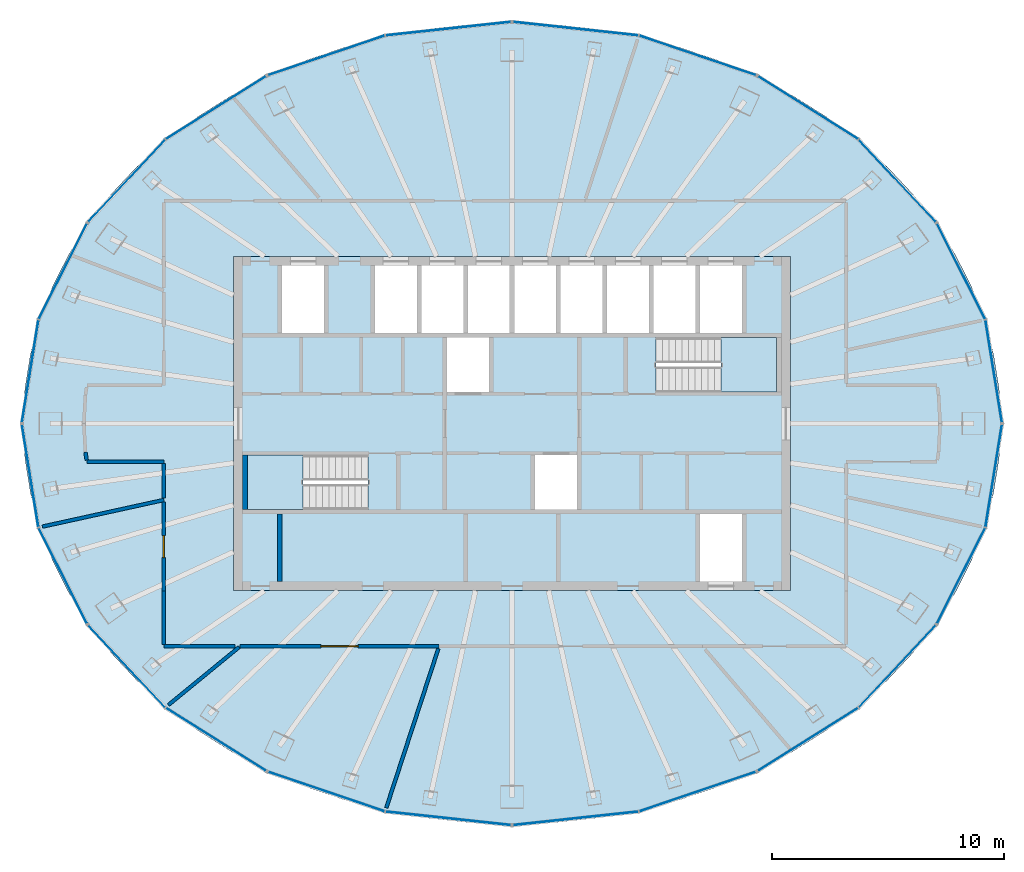
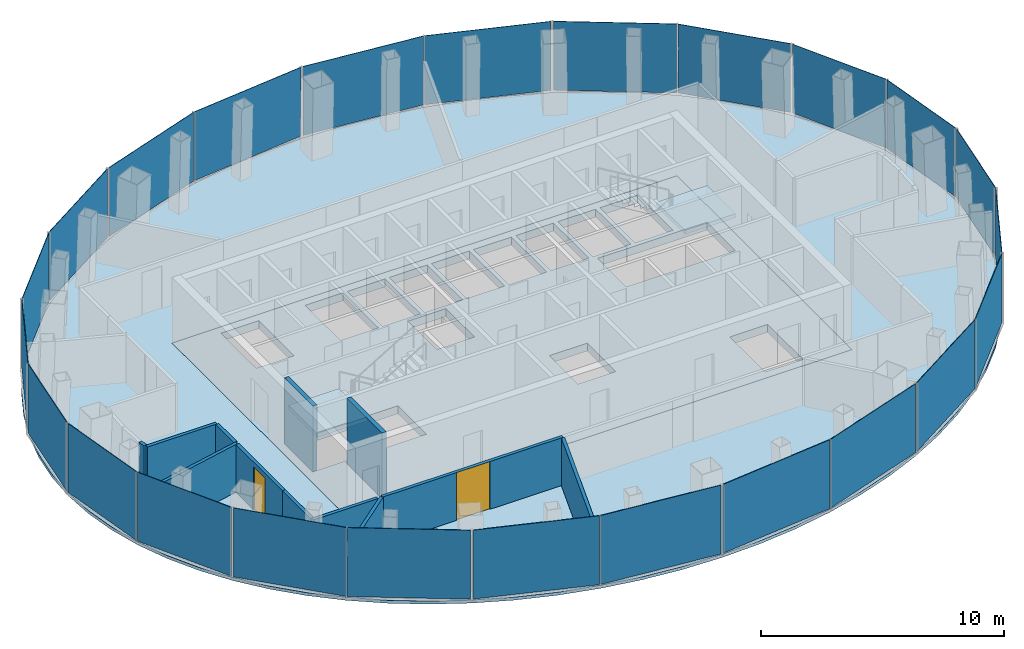
# One storey, part 7 of 11: 24 plates, 12 walls, 4 slabs, 2 doors, 2 openings, 14 elements without a shape of their own.
"""IFC4 building model written with IfcOpenShell, lengths in metres."""

from ifc_helpers import new_model, si_unit, direction, frame, frame_2d, origin, origin_2d, place, context, subcontext, project, spatial, polyline, rectangle, outline, extrude, material, layer, layer_set, type_object, element, fill, aggregate, save


model = new_model("IFC4")

# Units and contexts
model_context = context("Model", 3, precision=1e-05, world=origin(), true_north=direction((0.0, 1.0)))
body_context = subcontext(model_context, "Body", "Model", "MODEL_VIEW")
ifc_project = project(units=[si_unit("LENGTHUNIT", "METRE"), si_unit("AREAUNIT", "SQUARE_METRE"), si_unit("VOLUMEUNIT", "CUBIC_METRE"), si_unit("PLANEANGLEUNIT", "RADIAN"), si_unit("MASSUNIT", "GRAM", prefix="KILO")], contexts=[model_context])

# Site, building, storey
site_placement = place(None, origin())
site = spatial("IfcSite", under=ifc_project, at=site_placement, CompositionType="ELEMENT")
building_placement = place(site_placement, origin())
building = spatial("IfcBuilding", under=site, at=building_placement, Name="Siaravel Broadcast Tower", CompositionType="ELEMENT")
storey_placement = place(building_placement, frame((0.0, 0.0, 246.699951171875)))
storey = spatial("IfcBuildingStorey", under=building, at=storey_placement, Name="L60", CompositionType="ELEMENT", Elevation=246.699951171875)

# Curtain wall, plates
ifc_material_1 = material(Name="Aluminium 6063-T6", Category="aluminium")
ifc_layer_1 = layer(ifc_material_1, 0.159912109375)
ifc_layer_set_1 = layer_set([ifc_layer_1], Name="Aluminium 6063-T6")
curtain_wall_type = type_object("IfcCurtainWallType", Name="Unitised curtain wall, zone 4", PredefinedType="NOTDEFINED", material=ifc_layer_set_1)
curtain_wall_1_placement = place(storey_placement, origin())
curtain_wall_1 = element("IfcCurtainWall", 1, at=curtain_wall_1_placement, inside=storey, type_object=curtain_wall_type, Name="L60 Unitised curtain wall, zone 4 01", PredefinedType="NOTDEFINED")
ifc_material_2 = material(Name="Tinted insulated glass", Category="glass")
ifc_layer_2 = layer(ifc_material_2, 0.02587890625)
ifc_layer_set_2 = layer_set([ifc_layer_2], Name="Tinted insulated glass")
plate_type = type_object("IfcPlateType", Name="CW-Z4 glass panel", PredefinedType="CURTAIN_PANEL", material=ifc_layer_set_2)
plate_1_placement = place(storey_placement, frame((20.75537109375, 2.254638671875, 0.090087890625), z_axis=(0.0, 0.0, 1.0), x_axis=(-0.158684735, 0.987329304, 0.0)))
plate_1 = element("IfcPlate", 2, at=plate_1_placement, type_object=plate_type, Name="CW-Z4 glass panel", PredefinedType="CURTAIN_PANEL", context=body_context, shape_type="SweptSolid", body=[
    extrude(rectangle(XDim=4.45703125, YDim=0.02587890625, at=origin_2d()), origin(), (0.0, 0.0, 1.0), 3.4599609375),
])
plate_2_placement = place(storey_placement, frame((19.347900390625, 6.557373046875, 0.090087890625), z_axis=(0.0, 0.0, 1.0), x_axis=(-0.451259268, 0.892392891, 0.0)))
plate_2 = element("IfcPlate", 3, at=plate_2_placement, type_object=plate_type, Name="CW-Z4 glass panel", PredefinedType="CURTAIN_PANEL", context=body_context, shape_type="SweptSolid", body=[
    extrude(rectangle(XDim=4.59619140625, YDim=0.02587890625, at=origin_2d()), origin(), (0.0, 0.0, 1.0), 3.4599609375),
])
aggregate(curtain_wall_1, [plate_1, plate_2])

curtain_wall_2_placement = place(storey_placement, origin())
curtain_wall_2 = element("IfcCurtainWall", 4, at=curtain_wall_2_placement, inside=storey, type_object=curtain_wall_type, Name="L60 Unitised curtain wall, zone 4 02", PredefinedType="NOTDEFINED")
plate_3_placement = place(storey_placement, frame((16.59814453125, 10.459228515625, 0.090087890625), z_axis=(0.0, 0.0, 1.0), x_axis=(-0.683653738, 0.729806527, 0.0)))
plate_3 = element("IfcPlate", 5, at=plate_3_placement, type_object=plate_type, Name="CW-Z4 glass panel", PredefinedType="CURTAIN_PANEL", context=body_context, shape_type="SweptSolid", body=[
    extrude(rectangle(XDim=4.828125, YDim=0.02587890625, at=origin_2d()), origin(), (0.0, 0.0, 1.0), 3.4599609375),
])
plate_4_placement = place(storey_placement, frame((12.753662109375, 13.6083984375, 0.090087890625), z_axis=(0.0, 0.0, 1.0), x_axis=(-0.846649801, 0.532150463, 0.0)))
plate_4 = element("IfcPlate", 6, at=plate_4_placement, type_object=plate_type, Name="CW-Z4 glass panel", PredefinedType="CURTAIN_PANEL", context=body_context, shape_type="SweptSolid", body=[
    extrude(rectangle(XDim=5.083251953125, YDim=0.02587890625, at=origin_2d()), origin(), (0.0, 0.0, 1.0), 3.4599609375),
])
aggregate(curtain_wall_2, [plate_3, plate_4])

curtain_wall_3_placement = place(storey_placement, origin())
curtain_wall_3 = element("IfcCurtainWall", 7, at=curtain_wall_3_placement, inside=storey, type_object=curtain_wall_type, Name="L60 Unitised curtain wall, zone 4 03", PredefinedType="NOTDEFINED")
plate_5_placement = place(storey_placement, frame((7.996337890625, 15.8583984375, 0.090087890625), z_axis=(0.0, 0.0, 1.0), x_axis=(-0.946976963, 0.321301466, 0.0)))
plate_5 = element("IfcPlate", 8, at=plate_5_placement, type_object=plate_type, Name="CW-Z4 glass panel", PredefinedType="CURTAIN_PANEL", context=body_context, shape_type="SweptSolid", body=[
    extrude(rectangle(XDim=5.29443359375, YDim=0.02587890625, at=origin_2d()), origin(), (0.0, 0.0, 1.0), 3.4599609375),
])
plate_6_placement = place(storey_placement, frame((2.745361328125, 17.0107421875, 0.090087890625), z_axis=(0.0, 0.0, 1.0), x_axis=(-0.994235559, 0.107217782, 0.0)))
plate_6 = element("IfcPlate", 9, at=plate_6_placement, type_object=plate_type, Name="CW-Z4 glass panel", PredefinedType="CURTAIN_PANEL", context=body_context, shape_type="SweptSolid", body=[
    extrude(rectangle(XDim=5.41259765625, YDim=0.02587890625, at=origin_2d()), origin(), (0.0, 0.0, 1.0), 3.4599609375),
])
aggregate(curtain_wall_3, [plate_5, plate_6])

curtain_wall_4_placement = place(storey_placement, origin())
curtain_wall_4 = element("IfcCurtainWall", 10, at=curtain_wall_4_placement, inside=storey, type_object=curtain_wall_type, Name="L60 Unitised curtain wall, zone 4 04", PredefinedType="NOTDEFINED")
plate_7_placement = place(storey_placement, frame((-2.745361328125, 17.0107421875, 0.090087890625), z_axis=(0.0, 0.0, 1.0), x_axis=(-0.994235559, -0.107217782, 0.0)))
plate_7 = element("IfcPlate", 11, at=plate_7_placement, type_object=plate_type, Name="CW-Z4 glass panel", PredefinedType="CURTAIN_PANEL", context=body_context, shape_type="SweptSolid", body=[
    extrude(rectangle(XDim=5.41259765625, YDim=0.02587890625, at=origin_2d()), origin(), (0.0, 0.0, 1.0), 3.4599609375),
])
plate_8_placement = place(storey_placement, frame((-7.996337890625, 15.8583984375, 0.090087890625), z_axis=(0.0, 0.0, 1.0), x_axis=(-0.946976963, -0.321301466, 0.0)))
plate_8 = element("IfcPlate", 12, at=plate_8_placement, type_object=plate_type, Name="CW-Z4 glass panel", PredefinedType="CURTAIN_PANEL", context=body_context, shape_type="SweptSolid", body=[
    extrude(rectangle(XDim=5.29443359375, YDim=0.02587890625, at=origin_2d()), origin(), (0.0, 0.0, 1.0), 3.4599609375),
])
aggregate(curtain_wall_4, [plate_7, plate_8])

curtain_wall_5_placement = place(storey_placement, origin())
curtain_wall_5 = element("IfcCurtainWall", 13, at=curtain_wall_5_placement, inside=storey, type_object=curtain_wall_type, Name="L60 Unitised curtain wall, zone 4 05", PredefinedType="NOTDEFINED")
plate_9_placement = place(storey_placement, frame((-12.753662109375, 13.6083984375, 0.090087890625), z_axis=(0.0, 0.0, 1.0), x_axis=(-0.846649801, -0.532150463, 0.0)))
plate_9 = element("IfcPlate", 14, at=plate_9_placement, type_object=plate_type, Name="CW-Z4 glass panel", PredefinedType="CURTAIN_PANEL", context=body_context, shape_type="SweptSolid", body=[
    extrude(rectangle(XDim=5.083251953125, YDim=0.02587890625, at=origin_2d()), origin(), (0.0, 0.0, 1.0), 3.4599609375),
])
plate_10_placement = place(storey_placement, frame((-16.59814453125, 10.459228515625, 0.090087890625), z_axis=(0.0, 0.0, 1.0), x_axis=(-0.683653738, -0.729806527, 0.0)))
plate_10 = element("IfcPlate", 15, at=plate_10_placement, type_object=plate_type, Name="CW-Z4 glass panel", PredefinedType="CURTAIN_PANEL", context=body_context, shape_type="SweptSolid", body=[
    extrude(rectangle(XDim=4.828125, YDim=0.02587890625, at=origin_2d()), origin(), (0.0, 0.0, 1.0), 3.4599609375),
])
aggregate(curtain_wall_5, [plate_9, plate_10])

curtain_wall_6_placement = place(storey_placement, origin())
curtain_wall_6 = element("IfcCurtainWall", 16, at=curtain_wall_6_placement, inside=storey, type_object=curtain_wall_type, Name="L60 Unitised curtain wall, zone 4 06", PredefinedType="NOTDEFINED")
plate_11_placement = place(storey_placement, frame((-19.347900390625, 6.557373046875, 0.090087890625), z_axis=(0.0, 0.0, 1.0), x_axis=(-0.451259268, -0.892392891, 0.0)))
plate_11 = element("IfcPlate", 17, at=plate_11_placement, type_object=plate_type, Name="CW-Z4 glass panel", PredefinedType="CURTAIN_PANEL", context=body_context, shape_type="SweptSolid", body=[
    extrude(rectangle(XDim=4.59619140625, YDim=0.02587890625, at=origin_2d()), origin(), (0.0, 0.0, 1.0), 3.4599609375),
])
plate_12_placement = place(storey_placement, frame((-20.75537109375, 2.254638671875, 0.090087890625), z_axis=(0.0, 0.0, 1.0), x_axis=(-0.158684735, -0.987329304, 0.0)))
plate_12 = element("IfcPlate", 18, at=plate_12_placement, type_object=plate_type, Name="CW-Z4 glass panel", PredefinedType="CURTAIN_PANEL", context=body_context, shape_type="SweptSolid", body=[
    extrude(rectangle(XDim=4.45703125, YDim=0.02587890625, at=origin_2d()), origin(), (0.0, 0.0, 1.0), 3.4599609375),
])
aggregate(curtain_wall_6, [plate_11, plate_12])

curtain_wall_7_placement = place(storey_placement, origin())
curtain_wall_7 = element("IfcCurtainWall", 19, at=curtain_wall_7_placement, inside=storey, type_object=curtain_wall_type, Name="L60 Unitised curtain wall, zone 4 07", PredefinedType="NOTDEFINED")
plate_13_placement = place(storey_placement, frame((-20.75537109375, -2.254638671875, 0.090087890625), z_axis=(0.0, 0.0, 1.0), x_axis=(0.158684735, -0.987329304, 0.0)))
plate_13 = element("IfcPlate", 20, at=plate_13_placement, type_object=plate_type, Name="CW-Z4 glass panel", PredefinedType="CURTAIN_PANEL", context=body_context, shape_type="SweptSolid", body=[
    extrude(rectangle(XDim=4.45703125, YDim=0.02587890625, at=origin_2d()), origin(), (0.0, 0.0, 1.0), 3.4599609375),
])
plate_14_placement = place(storey_placement, frame((-19.347900390625, -6.557373046875, 0.090087890625), z_axis=(0.0, 0.0, 1.0), x_axis=(0.451259268, -0.892392891, 0.0)))
plate_14 = element("IfcPlate", 21, at=plate_14_placement, type_object=plate_type, Name="CW-Z4 glass panel", PredefinedType="CURTAIN_PANEL", context=body_context, shape_type="SweptSolid", body=[
    extrude(rectangle(XDim=4.59619140625, YDim=0.02587890625, at=origin_2d()), origin(), (0.0, 0.0, 1.0), 3.4599609375),
])
aggregate(curtain_wall_7, [plate_13, plate_14])

curtain_wall_8_placement = place(storey_placement, origin())
curtain_wall_8 = element("IfcCurtainWall", 22, at=curtain_wall_8_placement, inside=storey, type_object=curtain_wall_type, Name="L60 Unitised curtain wall, zone 4 08", PredefinedType="NOTDEFINED")
plate_15_placement = place(storey_placement, frame((-16.59814453125, -10.459228515625, 0.090087890625), z_axis=(0.0, 0.0, 1.0), x_axis=(0.683653738, -0.729806527, 0.0)))
plate_15 = element("IfcPlate", 23, at=plate_15_placement, type_object=plate_type, Name="CW-Z4 glass panel", PredefinedType="CURTAIN_PANEL", context=body_context, shape_type="SweptSolid", body=[
    extrude(rectangle(XDim=4.828125, YDim=0.02587890625, at=origin_2d()), origin(), (0.0, 0.0, 1.0), 3.4599609375),
])
plate_16_placement = place(storey_placement, frame((-12.753662109375, -13.6083984375, 0.090087890625), z_axis=(0.0, 0.0, 1.0), x_axis=(0.846649801, -0.532150463, 0.0)))
plate_16 = element("IfcPlate", 24, at=plate_16_placement, type_object=plate_type, Name="CW-Z4 glass panel", PredefinedType="CURTAIN_PANEL", context=body_context, shape_type="SweptSolid", body=[
    extrude(rectangle(XDim=5.083251953125, YDim=0.02587890625, at=origin_2d()), origin(), (0.0, 0.0, 1.0), 3.4599609375),
])
aggregate(curtain_wall_8, [plate_15, plate_16])

curtain_wall_9_placement = place(storey_placement, origin())
curtain_wall_9 = element("IfcCurtainWall", 25, at=curtain_wall_9_placement, inside=storey, type_object=curtain_wall_type, Name="L60 Unitised curtain wall, zone 4 09", PredefinedType="NOTDEFINED")
plate_17_placement = place(storey_placement, frame((-7.996337890625, -15.8583984375, 0.090087890625), z_axis=(0.0, 0.0, 1.0), x_axis=(0.946976963, -0.321301466, 0.0)))
plate_17 = element("IfcPlate", 26, at=plate_17_placement, type_object=plate_type, Name="CW-Z4 glass panel", PredefinedType="CURTAIN_PANEL", context=body_context, shape_type="SweptSolid", body=[
    extrude(rectangle(XDim=5.29443359375, YDim=0.02587890625, at=origin_2d()), origin(), (0.0, 0.0, 1.0), 3.4599609375),
])
plate_18_placement = place(storey_placement, frame((-2.745361328125, -17.0107421875, 0.090087890625), z_axis=(0.0, 0.0, 1.0), x_axis=(0.994235559, -0.107217782, 0.0)))
plate_18 = element("IfcPlate", 27, at=plate_18_placement, type_object=plate_type, Name="CW-Z4 glass panel", PredefinedType="CURTAIN_PANEL", context=body_context, shape_type="SweptSolid", body=[
    extrude(rectangle(XDim=5.41259765625, YDim=0.02587890625, at=origin_2d()), origin(), (0.0, 0.0, 1.0), 3.4599609375),
])
aggregate(curtain_wall_9, [plate_17, plate_18])

curtain_wall_10_placement = place(storey_placement, origin())
curtain_wall_10 = element("IfcCurtainWall", 28, at=curtain_wall_10_placement, inside=storey, type_object=curtain_wall_type, Name="L60 Unitised curtain wall, zone 4 10", PredefinedType="NOTDEFINED")
plate_19_placement = place(storey_placement, frame((2.745361328125, -17.0107421875, 0.090087890625), z_axis=(0.0, 0.0, 1.0), x_axis=(0.994235559, 0.107217782, 0.0)))
plate_19 = element("IfcPlate", 29, at=plate_19_placement, type_object=plate_type, Name="CW-Z4 glass panel", PredefinedType="CURTAIN_PANEL", context=body_context, shape_type="SweptSolid", body=[
    extrude(rectangle(XDim=5.41259765625, YDim=0.02587890625, at=origin_2d()), origin(), (0.0, 0.0, 1.0), 3.4599609375),
])
plate_20_placement = place(storey_placement, frame((7.996337890625, -15.8583984375, 0.090087890625), z_axis=(0.0, 0.0, 1.0), x_axis=(0.946976963, 0.321301466, 0.0)))
plate_20 = element("IfcPlate", 30, at=plate_20_placement, type_object=plate_type, Name="CW-Z4 glass panel", PredefinedType="CURTAIN_PANEL", context=body_context, shape_type="SweptSolid", body=[
    extrude(rectangle(XDim=5.29443359375, YDim=0.02587890625, at=origin_2d()), origin(), (0.0, 0.0, 1.0), 3.4599609375),
])
aggregate(curtain_wall_10, [plate_19, plate_20])

curtain_wall_11_placement = place(storey_placement, origin())
curtain_wall_11 = element("IfcCurtainWall", 31, at=curtain_wall_11_placement, inside=storey, type_object=curtain_wall_type, Name="L60 Unitised curtain wall, zone 4 11", PredefinedType="NOTDEFINED")
plate_21_placement = place(storey_placement, frame((12.753662109375, -13.6083984375, 0.090087890625), z_axis=(0.0, 0.0, 1.0), x_axis=(0.846649801, 0.532150463, 0.0)))
plate_21 = element("IfcPlate", 32, at=plate_21_placement, type_object=plate_type, Name="CW-Z4 glass panel", PredefinedType="CURTAIN_PANEL", context=body_context, shape_type="SweptSolid", body=[
    extrude(rectangle(XDim=5.083251953125, YDim=0.02587890625, at=origin_2d()), origin(), (0.0, 0.0, 1.0), 3.4599609375),
])
plate_22_placement = place(storey_placement, frame((16.59814453125, -10.459228515625, 0.090087890625), z_axis=(0.0, 0.0, 1.0), x_axis=(0.683653738, 0.729806527, 0.0)))
plate_22 = element("IfcPlate", 33, at=plate_22_placement, type_object=plate_type, Name="CW-Z4 glass panel", PredefinedType="CURTAIN_PANEL", context=body_context, shape_type="SweptSolid", body=[
    extrude(rectangle(XDim=4.828125, YDim=0.02587890625, at=origin_2d()), origin(), (0.0, 0.0, 1.0), 3.4599609375),
])
aggregate(curtain_wall_11, [plate_21, plate_22])

curtain_wall_12_placement = place(storey_placement, origin())
curtain_wall_12 = element("IfcCurtainWall", 34, at=curtain_wall_12_placement, inside=storey, type_object=curtain_wall_type, Name="L60 Unitised curtain wall, zone 4 12", PredefinedType="NOTDEFINED")
plate_23_placement = place(storey_placement, frame((19.347900390625, -6.557373046875, 0.090087890625), z_axis=(0.0, 0.0, 1.0), x_axis=(0.451259268, 0.892392891, 0.0)))
plate_23 = element("IfcPlate", 35, at=plate_23_placement, type_object=plate_type, Name="CW-Z4 glass panel", PredefinedType="CURTAIN_PANEL", context=body_context, shape_type="SweptSolid", body=[
    extrude(rectangle(XDim=4.59619140625, YDim=0.02587890625, at=origin_2d()), origin(), (0.0, 0.0, 1.0), 3.4599609375),
])
plate_24_placement = place(storey_placement, frame((20.75537109375, -2.254638671875, 0.090087890625), z_axis=(0.0, 0.0, 1.0), x_axis=(0.158684735, 0.987329304, 0.0)))
plate_24 = element("IfcPlate", 36, at=plate_24_placement, type_object=plate_type, Name="CW-Z4 glass panel", PredefinedType="CURTAIN_PANEL", context=body_context, shape_type="SweptSolid", body=[
    extrude(rectangle(XDim=4.45703125, YDim=0.02587890625, at=origin_2d()), origin(), (0.0, 0.0, 1.0), 3.4599609375),
])
aggregate(curtain_wall_12, [plate_23, plate_24])

# Slabs
ifc_material_3 = material(Name="Concrete C40/50", Category="concrete")
ifc_layer_3 = layer(ifc_material_3, 0.39990234375)
ifc_layer_set_3 = layer_set([ifc_layer_3], Name="Concrete C40/50")
slab_type_1 = type_object("IfcSlabType", Name="Core floor slab 400", PredefinedType="FLOOR", material=ifc_layer_set_3)
slab_1_placement = place(storey_placement, frame((0.0, 0.0, -0.39990234375)))
element("IfcSlab", 37, at=slab_1_placement, inside=storey, type_object=slab_type_1, Name="L60 core floor", PredefinedType="FLOOR", context=body_context, shape_type="SweptSolid", body=[
    extrude(outline(polyline([(-12.0, -7.199951171875), (-12.0, 7.199951171875), (12.0, 7.199951171875), (12.0, -7.199951171875), (-12.0, -7.199951171875)]), holes=[polyline([(11.3994140625, 1.3505859375), (11.3994140625, 3.699462890625), (6.200439453125, 3.699462890625), (6.200439453125, 1.3505859375), (11.3994140625, 1.3505859375)]), polyline([(8.10009765625, -3.89990234375), (8.10009765625, -6.800048828125), (9.89990234375, -6.800048828125), (9.89990234375, -3.89990234375), (8.10009765625, -3.89990234375)]), polyline([(9.89990234375, 6.800048828125), (8.10009765625, 6.800048828125), (8.10009765625, 3.89990234375), (9.89990234375, 3.89990234375), (9.89990234375, 6.800048828125)]), polyline([(7.89990234375, 6.800048828125), (6.10009765625, 6.800048828125), (6.10009765625, 3.89990234375), (7.89990234375, 3.89990234375), (7.89990234375, 6.800048828125)]), polyline([(5.89990234375, 6.800048828125), (4.10009765625, 6.800048828125), (4.10009765625, 3.89990234375), (5.89990234375, 3.89990234375), (5.89990234375, 6.800048828125)]), polyline([(3.89990234375, 6.800048828125), (2.10009765625, 6.800048828125), (2.10009765625, 3.89990234375), (3.89990234375, 3.89990234375), (3.89990234375, 6.800048828125)]), polyline([(2.800048828125, -1.35009765625), (1.0, -1.35009765625), (1.0, -3.699951171875), (2.800048828125, -3.699951171875), (2.800048828125, -1.35009765625)]), polyline([(1.89990234375, 6.800048828125), (0.10009765625, 6.800048828125), (0.10009765625, 3.89990234375), (1.89990234375, 3.89990234375), (1.89990234375, 6.800048828125)]), polyline([(-0.10009765625, 6.800048828125), (-1.89990234375, 6.800048828125), (-1.89990234375, 3.89990234375), (-0.10009765625, 3.89990234375), (-0.10009765625, 6.800048828125)]), polyline([(-1.0, 3.699951171875), (-2.800048828125, 3.699951171875), (-2.800048828125, 1.35009765625), (-1.0, 1.35009765625), (-1.0, 3.699951171875)]), polyline([(-2.10009765625, 6.800048828125), (-3.89990234375, 6.800048828125), (-3.89990234375, 3.89990234375), (-2.10009765625, 3.89990234375), (-2.10009765625, 6.800048828125)]), polyline([(-4.10009765625, 6.800048828125), (-5.89990234375, 6.800048828125), (-5.89990234375, 3.89990234375), (-4.10009765625, 3.89990234375), (-4.10009765625, 6.800048828125)]), polyline([(-11.3994140625, -3.699462890625), (-6.200439453125, -3.699462890625), (-6.200439453125, -1.3505859375), (-11.3994140625, -1.3505859375), (-11.3994140625, -3.699462890625)]), polyline([(-8.10009765625, 6.800048828125), (-9.89990234375, 6.800048828125), (-9.89990234375, 3.89990234375), (-8.10009765625, 3.89990234375), (-8.10009765625, 6.800048828125)])]), origin(), (0.0, 0.0, 1.0), 0.39990234375),
])
ifc_layer_4 = layer(ifc_material_3, 0.14990234375)
ifc_layer_set_4 = layer_set([ifc_layer_4], Name="Concrete C40/50")
slab_type_2 = type_object("IfcSlabType", Name="SLB-FLOOR-150", PredefinedType="FLOOR", material=ifc_layer_set_4)
slab_2_placement = place(storey_placement, frame((0.0, 0.0, -0.14990234375)))
element("IfcSlab", 38, at=slab_2_placement, inside=storey, type_object=slab_type_2, Name="Floor slab", PredefinedType="FLOOR", context=body_context, shape_type="SweptSolid", body=[
    extrude(outline(polyline([(21.06787109375, 0.0), (20.987548828125, 1.50390625), (20.747802734375, 2.99658203125), (20.349853515625, 4.46630859375), (19.79736328125, 5.902099609375), (19.093994140625, 7.293212890625), (18.245361328125, 8.62841796875), (17.2578125, 9.898193359375), (16.138916015625, 11.092529296875), (14.897216796875, 12.202392578125), (13.5419921875, 13.219482421875), (12.083984375, 14.135986328125), (10.533935546875, 14.94482421875), (8.903564453125, 15.64013671875), (7.20556640625, 16.21630859375), (5.45263671875, 16.6689453125), (3.658447265625, 16.99462890625), (1.836181640625, 17.191162109375), (0.0, 17.2568359375), (-1.836181640625, 17.191162109375), (-3.658447265625, 16.99462890625), (-5.45263671875, 16.6689453125), (-7.20556640625, 16.21630859375), (-8.903564453125, 15.64013671875), (-10.533935546875, 14.94482421875), (-12.083984375, 14.135986328125), (-13.5419921875, 13.219482421875), (-14.897216796875, 12.202392578125), (-16.138916015625, 11.092529296875), (-17.2578125, 9.898193359375), (-18.245361328125, 8.62841796875), (-19.093994140625, 7.293212890625), (-19.79736328125, 5.902099609375), (-20.349853515625, 4.46630859375), (-20.747802734375, 2.99658203125), (-20.987548828125, 1.50390625), (-21.06787109375, 0.0), (-20.987548828125, -1.50390625), (-20.747802734375, -2.99658203125), (-20.349853515625, -4.46630859375), (-19.79736328125, -5.902099609375), (-19.093994140625, -7.293212890625), (-18.245361328125, -8.62841796875), (-17.2578125, -9.898193359375), (-16.138916015625, -11.092529296875), (-14.897216796875, -12.202392578125), (-13.5419921875, -13.219482421875), (-12.083984375, -14.135986328125), (-10.533935546875, -14.94482421875), (-8.903564453125, -15.64013671875), (-7.20556640625, -16.21630859375), (-5.45263671875, -16.6689453125), (-3.658447265625, -16.99462890625), (-1.836181640625, -17.191162109375), (0.0, -17.2568359375), (1.836181640625, -17.191162109375), (3.658447265625, -16.99462890625), (5.45263671875, -16.6689453125), (7.20556640625, -16.21630859375), (8.903564453125, -15.64013671875), (10.533935546875, -14.94482421875), (12.083984375, -14.135986328125), (13.5419921875, -13.219482421875), (14.897216796875, -12.202392578125), (16.138916015625, -11.092529296875), (17.2578125, -9.898193359375), (18.245361328125, -8.62841796875), (19.093994140625, -7.293212890625), (19.79736328125, -5.902099609375), (20.349853515625, -4.46630859375), (20.747802734375, -2.99658203125), (20.987548828125, -1.50390625), (21.06787109375, 0.0)]), holes=[polyline([(-12.0, 7.199951171875), (12.0, 7.199951171875), (12.0, -7.199951171875), (-12.0, -7.199951171875), (-12.0, 7.199951171875)])]), origin(), (0.0, 0.0, 1.0), 0.14990234375),
])

# Stair, slab
stair_type = type_object("IfcStairType", Name="Core exit stair", PredefinedType="HALF_TURN_STAIR", material=ifc_material_3)
stair_1_placement = place(storey_placement, origin())
stair_1 = element("IfcStair", 39, at=stair_1_placement, inside=storey, type_object=stair_type, Name="L60 Exit stair ST-1", PredefinedType="HALF_TURN_STAIR")
ifc_layer_5 = layer(ifc_material_3, 0.199951171875)
ifc_layer_set_5 = layer_set([ifc_layer_5], Name="Concrete C40/50")
slab_type_3 = type_object("IfcSlabType", Name="Stair landing", PredefinedType="LANDING", material=ifc_layer_set_5)
slab_3_placement = place(storey_placement, frame((0.0, 0.0, 1.650146484375)))
slab_3 = element("IfcSlab", 40, at=slab_3_placement, type_object=slab_type_3, Name="ST-1 landing 1", PredefinedType="LANDING", context=body_context, shape_type="SweptSolid", body=[
    extrude(outline(polyline([(-9.0, -1.35009765625), (-11.39990234375, -1.35009765625), (-11.39990234375, -3.699951171875), (-9.0, -3.699951171875), (-9.0, -1.35009765625)])), origin(), (0.0, 0.0, 1.0), 0.199951171875),
])
aggregate(stair_1, [slab_3])

stair_2_placement = place(storey_placement, origin())
stair_2 = element("IfcStair", 41, at=stair_2_placement, inside=storey, type_object=stair_type, Name="L60 Exit stair ST-2", PredefinedType="HALF_TURN_STAIR")
slab_4_placement = place(storey_placement, frame((0.0, 0.0, 1.650146484375)))
slab_4 = element("IfcSlab", 42, at=slab_4_placement, type_object=slab_type_3, Name="ST-2 landing 1", PredefinedType="LANDING", context=body_context, shape_type="SweptSolid", body=[
    extrude(outline(polyline([(9.0, 1.35009765625), (11.39990234375, 1.35009765625), (11.39990234375, 3.699951171875), (9.0, 3.699951171875), (9.0, 1.35009765625)])), origin(), (0.0, 0.0, 1.0), 0.199951171875),
])
aggregate(stair_2, [slab_4])

# Wall, opening, door
ifc_material_4 = material(Name="Gypsum board partition", Category="gypsum")
ifc_layer_6 = layer(ifc_material_4, 0.14990234375)
ifc_layer_set_6 = layer_set([ifc_layer_6], Name="Gypsum board partition")
wall_type_1 = type_object("IfcWallType", Name="Corridor wall 150", PredefinedType="PARTITIONING", material=ifc_layer_set_6)
wall_1_placement = place(storey_placement, frame((-11.719970703125, -9.60009765625, 0.0), z_axis=(0.0, 0.0, 1.0), x_axis=(1.0, 0.0, 0.0)))
wall_1 = element("IfcWall", 43, at=wall_1_placement, inside=storey, type_object=wall_type_1, Name="L60 partition 4", PredefinedType="PARTITIONING", context=body_context, shape_type="SweptSolid", body=[
    extrude(rectangle(XDim=8.57861328125, YDim=0.14990234375, at=frame_2d((4.289306640625, 0.0))), origin(), (0.0, 0.0, 1.0), 2.400146484375),
])
opening_1_placement = place(wall_1_placement, frame((3.4892578125, 0.0, 0.0)))
opening_1 = element("IfcOpeningElement", 44, at=opening_1_placement, cuts=wall_1, Name="Opening L60-003", PredefinedType="OPENING", context=body_context, shape_type="SweptSolid", body=[
    extrude(rectangle(XDim=1.60009765625, YDim=2.39990234375, at=frame_2d((0.800048828125, 1.199951171875))), frame((0.0, 0.0849609375, 0.0), z_axis=(0.0, -1.0, 0.0), x_axis=(1.0, 0.0, 0.0)), (0.0, 0.0, 1.0), 0.169921875),
])
ifc_material_5 = material(Name="Timber veneer", Category="wood")
door_type_1 = type_object("IfcDoorType", Name="Restaurant double door 1600", OperationType="DOUBLE_DOOR_SINGLE_SWING", PredefinedType="DOOR", material=ifc_material_5)
door_1_placement = place(opening_1_placement, origin())
door_1 = element("IfcDoor", 45, at=door_1_placement, inside=storey, type_object=door_type_1, Name="L60 door to Lounge", OperationType="DOUBLE_DOOR_SINGLE_SWING", OverallHeight=2.39990234375, OverallWidth=1.60009765625, PredefinedType="DOOR", context=body_context, shape_type="SweptSolid", body=[
    extrude(rectangle(XDim=1.60009765625, YDim=2.39990234375, at=frame_2d((0.800048828125, 1.199951171875))), frame((0.0, 0.02490234375, 0.0), z_axis=(0.0, -1.0, 0.0), x_axis=(1.0, 0.0, 0.0)), (0.0, 0.0, 1.0), 0.050048828125),
])
fill(opening_1, door_1)

wall_2_placement = place(storey_placement, frame((-15.0, -3.387451171875, 0.0), z_axis=(0.0, 0.0, 1.0), x_axis=(0.0, -1.0, 0.0)))
wall_2 = element("IfcWall", 46, at=wall_2_placement, inside=storey, type_object=wall_type_1, Name="L60 partition 19", PredefinedType="PARTITIONING", context=body_context, shape_type="SweptSolid", body=[
    extrude(rectangle(XDim=3.824462890625, YDim=0.14990234375, at=frame_2d((1.912109375, 0.0))), origin(), (0.0, 0.0, 1.0), 2.400146484375),
])
opening_2_placement = place(wall_2_placement, frame((1.437255859375, 0.0, 0.0)))
opening_2 = element("IfcOpeningElement", 47, at=opening_2_placement, cuts=wall_2, Name="Opening L60-002", PredefinedType="OPENING", context=body_context, shape_type="SweptSolid", body=[
    extrude(rectangle(XDim=0.949951171875, YDim=2.14990234375, at=frame_2d((0.47509765625, 1.074951171875))), frame((0.0, 0.0849609375, 0.0), z_axis=(0.0, -1.0, 0.0), x_axis=(1.0, 0.0, 0.0)), (0.0, 0.0, 1.0), 0.169921875),
])
door_type_2 = type_object("IfcDoorType", Name="Office door 950", OperationType="SINGLE_SWING_LEFT", PredefinedType="DOOR", material=ifc_material_5)
door_2_placement = place(opening_2_placement, origin())
door_2 = element("IfcDoor", 48, at=door_2_placement, inside=storey, type_object=door_type_2, Name="L60 door to Reception", OperationType="SINGLE_SWING_RIGHT", OverallHeight=2.14990234375, OverallWidth=0.949951171875, PredefinedType="DOOR", context=body_context, shape_type="SweptSolid", body=[
    extrude(rectangle(XDim=0.949951171875, YDim=2.14990234375, at=frame_2d((0.47509765625, 1.074951171875))), frame((0.0, 0.02490234375, 0.0), z_axis=(0.0, -1.0, 0.0), x_axis=(1.0, 0.0, 0.0)), (0.0, 0.0, 1.0), 0.050048828125),
])
fill(opening_2, door_2)

# Walls
wall_3_placement = place(storey_placement, frame((-18.310791015625, -1.64990234375, 0.0), z_axis=(0.0, 0.0, 1.0), x_axis=(1.0, 0.0, 0.0)))
element("IfcWall", 49, at=wall_3_placement, inside=storey, type_object=wall_type_1, Name="L60 partition 22", PredefinedType="PARTITIONING", context=body_context, shape_type="SweptSolid", body=[
    extrude(rectangle(XDim=3.310791015625, YDim=0.14990234375, at=frame_2d((1.6552734375, 0.0))), origin(), (0.0, 0.0, 1.0), 2.400146484375),
])
wall_4_placement = place(storey_placement, frame((-15.0, -9.60009765625, 0.0), z_axis=(0.0, 0.0, 1.0), x_axis=(1.0, 0.0, 0.0)))
element("IfcWall", 50, at=wall_4_placement, inside=storey, type_object=wall_type_1, Name="L60 partition 24", PredefinedType="PARTITIONING", context=body_context, shape_type="SweptSolid", body=[
    extrude(rectangle(XDim=3.068115234375, YDim=0.14990234375, at=frame_2d((1.5341796875, 0.0))), origin(), (0.0, 0.0, 1.0), 2.400146484375),
])
wall_5_placement = place(storey_placement, frame((-15.0, -7.212890625, 0.0), z_axis=(0.0, 0.0, 1.0), x_axis=(0.0, -1.0, 0.0)))
element("IfcWall", 51, at=wall_5_placement, inside=storey, type_object=wall_type_1, Name="L60 partition 25", PredefinedType="PARTITIONING", context=body_context, shape_type="SweptSolid", body=[
    extrude(rectangle(XDim=2.31005859375, YDim=0.14990234375, at=frame_2d((1.155029296875, 0.0))), origin(), (0.0, 0.0, 1.0), 2.400146484375),
])
wall_6_placement = place(storey_placement, frame((-15.0, -1.72705078125, 0.0), z_axis=(0.0, 0.0, 1.0), x_axis=(0.0, -1.0, 0.0)))
element("IfcWall", 52, at=wall_6_placement, inside=storey, type_object=wall_type_1, Name="L60 partition 29", PredefinedType="PARTITIONING", context=body_context, shape_type="SweptSolid", body=[
    extrude(rectangle(XDim=1.48974609375, YDim=0.14990234375, at=frame_2d((0.744873046875, 0.0))), origin(), (0.0, 0.0, 1.0), 2.400146484375),
])
wall_7_placement = place(storey_placement, frame((-18.377197265625, -1.235595703125, 0.0), z_axis=(0.0, 0.0, 1.0), x_axis=(0.158406053, -0.987374054, 0.0)))
element("IfcWall", 53, at=wall_7_placement, inside=storey, type_object=wall_type_1, Name="L60 partition 37", PredefinedType="PARTITIONING", context=body_context, shape_type="SweptSolid", body=[
    extrude(rectangle(XDim=0.34375, YDim=0.14990234375, at=frame_2d((0.171875, 0.0))), origin(), (0.0, 0.0, 1.0), 2.400146484375),
])
ifc_layer_7 = layer(ifc_material_4, 0.14990234375)
ifc_layer_set_7 = layer_set([ifc_layer_7], Name="Gypsum board partition")
wall_type_2 = type_object("IfcWallType", Name="Room partition 150", PredefinedType="PARTITIONING", material=ifc_layer_set_7)
wall_8_placement = place(storey_placement, frame((-5.4150390625, -16.553955078125, 0.0), z_axis=(0.0, 0.0, 1.0), x_axis=(0.31090061, 0.950442429, 0.0)))
element("IfcWall", 54, at=wall_8_placement, inside=storey, type_object=wall_type_2, Name="L60 partition 5", PredefinedType="PARTITIONING", context=body_context, shape_type="SweptSolid", body=[
    extrude(rectangle(XDim=7.211181640625, YDim=0.14990234375, at=frame_2d((3.60546875, 0.0))), origin(), (0.0, 0.0, 1.0), 2.400146484375),
])
wall_9_placement = place(storey_placement, frame((-20.2314453125, -4.4404296875, 0.0), z_axis=(0.0, 0.0, 1.0), x_axis=(0.976751095, 0.214376535, 0.0)))
element("IfcWall", 55, at=wall_9_placement, inside=storey, type_object=wall_type_2, Name="L60 partition 13", PredefinedType="PARTITIONING", context=body_context, shape_type="SweptSolid", body=[
    extrude(rectangle(XDim=5.35595703125, YDim=0.14990234375, at=frame_2d((2.677978515625, 0.0))), origin(), (0.0, 0.0, 1.0), 2.400146484375),
])
wall_10_placement = place(storey_placement, frame((-14.801513671875, -12.124267578125, 0.0), z_axis=(0.0, 0.0, 1.0), x_axis=(0.773581114, 0.633697293, 0.0)))
element("IfcWall", 56, at=wall_10_placement, inside=storey, type_object=wall_type_2, Name="L60 partition 18", PredefinedType="PARTITIONING", context=body_context, shape_type="SweptSolid", body=[
    extrude(rectangle(XDim=3.933837890625, YDim=0.14990234375, at=frame_2d((1.966796875, 0.0))), origin(), (0.0, 0.0, 1.0), 2.400146484375),
])
ifc_material_6 = material(Name="Concrete C60/75", Category="concrete")
ifc_layer_8 = layer(ifc_material_6, 0.199951171875)
ifc_layer_set_8 = layer_set([ifc_layer_8], Name="Concrete C60/75")
wall_type_3 = type_object("IfcWallType", Name="Shaft wall 200", PredefinedType="SHEAR", material=ifc_layer_set_8)
wall_11_placement = place(storey_placement, frame((-10.0, -6.800048828125, 0.0), z_axis=(0.0, 0.0, 1.0), x_axis=(0.0, 1.0, 0.0)))
element("IfcWall", 57, at=wall_11_placement, inside=storey, type_object=wall_type_3, Name="L60 core wall SWS0", PredefinedType="SHEAR", context=body_context, shape_type="SweptSolid", body=[
    extrude(rectangle(XDim=2.900146484375, YDim=0.199951171875, at=frame_2d((1.4501953125, 0.0))), origin(), (0.0, 0.0, 1.0), 3.300048828125),
])
wall_12_placement = place(storey_placement, frame((-11.5, -3.699951171875, 0.0), z_axis=(0.0, 0.0, 1.0), x_axis=(0.0, 1.0, 0.0)))
element("IfcWall", 58, at=wall_12_placement, inside=storey, type_object=wall_type_3, Name="L60 core wall ST1W", PredefinedType="SHEAR", context=body_context, shape_type="SweptSolid", body=[
    extrude(rectangle(XDim=2.349853515625, YDim=0.199951171875, at=frame_2d((1.1748046875, 0.0))), origin(), (0.0, 0.0, 1.0), 3.300048828125),
])

save(model, "model.ifc")
